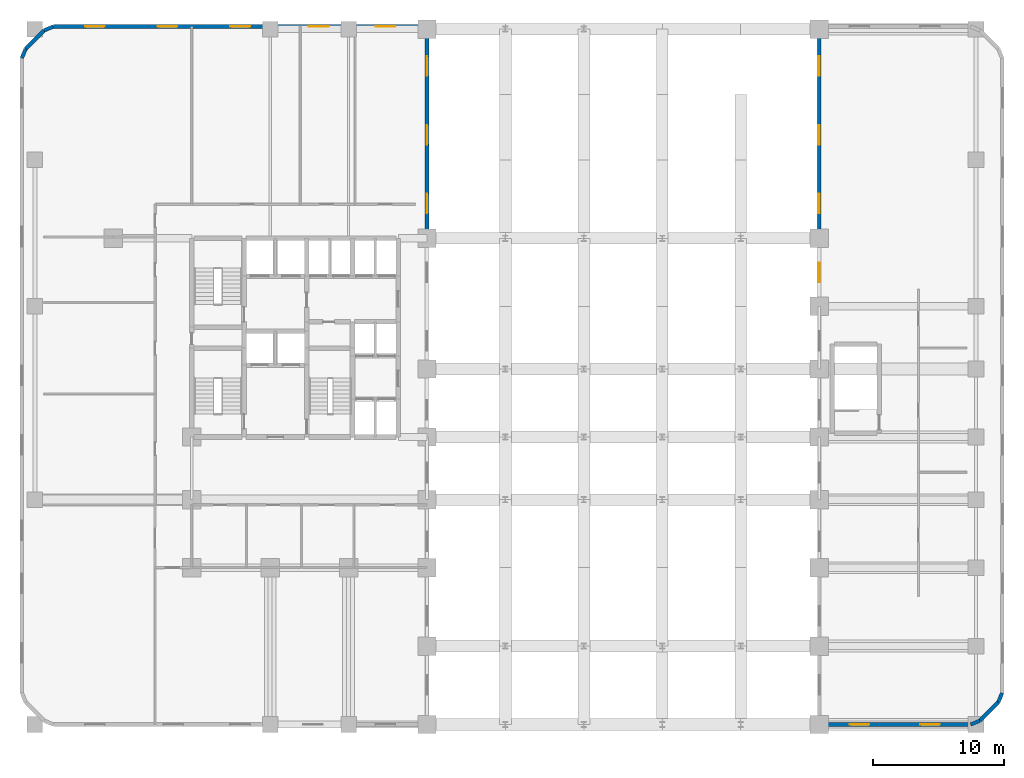
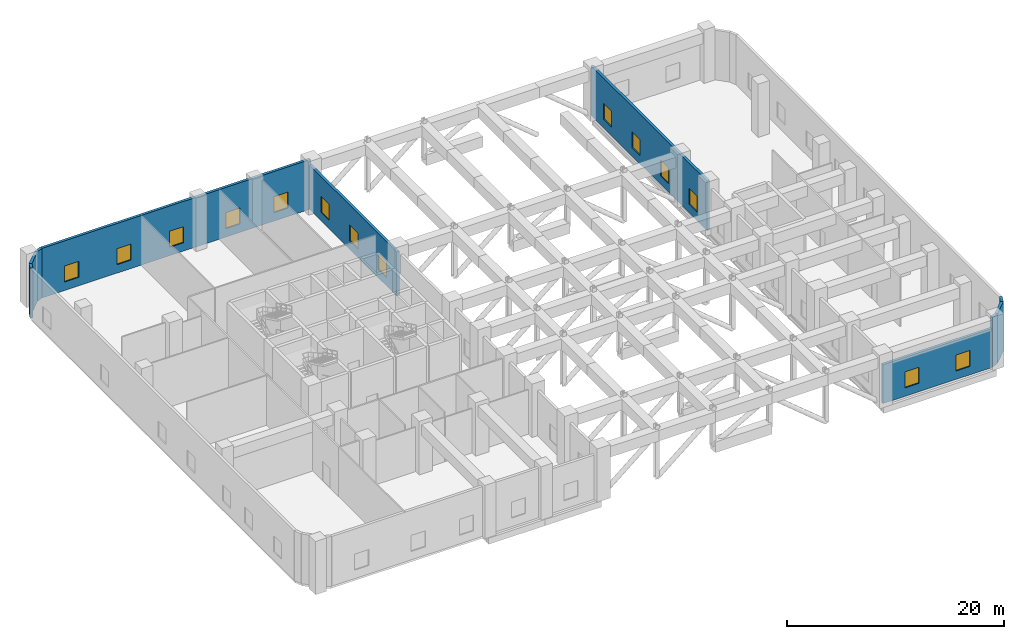
# One storey, part 7 of 11: 14 windows, 10 walls, 14 openings.
"""IFC4 building model written with IfcOpenShell, lengths in metres."""

from ifc_helpers import new_model, si_unit, direction, frame, frame_2d, origin, place, context, subcontext, project, spatial, rectangle, extrude, material, layer, layer_set, type_object, element, fill, save


model = new_model("IFC4")

# Units and contexts
model_context = context("Model", 3, precision=1e-05, world=origin(), true_north=direction((0.0, 1.0)))
body_context = subcontext(model_context, "Body", "Model", "MODEL_VIEW")
ifc_project = project(units=[si_unit("LENGTHUNIT", "METRE"), si_unit("AREAUNIT", "SQUARE_METRE"), si_unit("VOLUMEUNIT", "CUBIC_METRE"), si_unit("PLANEANGLEUNIT", "RADIAN"), si_unit("MASSUNIT", "GRAM", prefix="KILO")], contexts=[model_context])

# Site, building, storey
site_placement = place(None, origin())
site = spatial("IfcSite", under=ifc_project, at=site_placement, CompositionType="ELEMENT")
building_placement = place(site_placement, origin())
building = spatial("IfcBuilding", under=site, at=building_placement, Name="Keshet Zoharim Tower", CompositionType="ELEMENT")
storey_placement = place(building_placement, frame((0.0, 0.0, 13.0)))
storey = spatial("IfcBuildingStorey", under=building, at=storey_placement, Name="L02", CompositionType="ELEMENT", Elevation=13.0)

# Walls
ifc_material_1 = material(Name="Concrete C50/60 precast", Category="concrete")
ifc_layer = layer(ifc_material_1, 0.280029296875)
ifc_layer_set = layer_set([ifc_layer], Name="Concrete C50/60 precast")
wall_type = type_object("IfcWallType", Name="WL-EXT-280", PredefinedType="STANDARD", material=ifc_layer_set)
wall_1_placement = place(storey_placement, frame((2.0, 51.68603515625, 0.0), z_axis=(0.0, 0.0, 1.0), x_axis=(0.382802560388, 0.92383017907, 0.0)))
element("IfcWall", 1, at=wall_1_placement, inside=storey, type_object=wall_type, Name="L02 Podium Precast Facade Wall 02", PredefinedType="STANDARD", context=body_context, shape_type="SweptSolid", body=[
    extrude(rectangle(XDim=0.765380859375, YDim=0.280029296875, at=frame_2d((0.3828125, 0.0))), origin(), (0.0, 0.0, 1.0), 5.580078125),
])
wall_2_placement = place(storey_placement, frame((2.29296875, 52.39306640625, 0.0), z_axis=(0.0, 0.0, 1.0), x_axis=(0.707167825498, 0.707045731605, 0.0)))
element("IfcWall", 2, at=wall_2_placement, inside=storey, type_object=wall_type, Name="L02 Podium Precast Facade Wall 03", PredefinedType="STANDARD", context=body_context, shape_type="SweptSolid", body=[
    extrude(rectangle(XDim=1.99951171875, YDim=0.280029296875, at=frame_2d((0.999755859375, 0.0))), origin(), (0.0, 0.0, 1.0), 5.580078125),
])
wall_3_placement = place(storey_placement, frame((3.70703125, 53.806884765625, 0.0), z_axis=(0.0, 0.0, 1.0), x_axis=(0.923717339373, 0.383074766777, 0.0)))
element("IfcWall", 3, at=wall_3_placement, inside=storey, type_object=wall_type, Name="L02 Podium Precast Facade Wall 04", PredefinedType="STANDARD", context=body_context, shape_type="SweptSolid", body=[
    extrude(rectangle(XDim=0.765380859375, YDim=0.280029296875, at=frame_2d((0.3828125, 0.0))), origin(), (0.0, 0.0, 1.0), 5.580078125),
])

# Wall, openings, windows
wall_4_placement = place(storey_placement, frame((4.4140625, 54.10009765625, 0.0), z_axis=(0.0, 0.0, 1.0), x_axis=(1.0, 0.0, 0.0)))
wall_4 = element("IfcWall", 4, at=wall_4_placement, inside=storey, type_object=wall_type, Name="L02 Podium Precast Facade Wall 05", PredefinedType="STANDARD", context=body_context, shape_type="SweptSolid", body=[
    extrude(rectangle(XDim=28.5859375, YDim=0.280029296875, at=frame_2d((14.29296875, 0.0))), origin(), (0.0, 0.0, 1.0), 5.580078125),
])
opening_1_placement = place(wall_4_placement, frame((2.428955078125, 0.0, 0.949951171875)))
opening_1 = element("IfcOpeningElement", 5, at=opening_1_placement, cuts=wall_4, Name="Opening W-150", PredefinedType="OPENING", context=body_context, shape_type="SweptSolid", body=[
    extrude(rectangle(XDim=1.5, YDim=1.800048828125, at=frame_2d((0.75, 0.89990234375))), frame((0.0, 0.14990234375, 0.0), z_axis=(0.0, -1.0, 0.0), x_axis=(1.0, 0.0, 0.0)), (0.0, 0.0, 1.0), 0.300048828125),
])
opening_2_placement = place(wall_4_placement, frame((7.986083984375, 0.0, 0.949951171875)))
opening_2 = element("IfcOpeningElement", 6, at=opening_2_placement, cuts=wall_4, Name="Opening W-150", PredefinedType="OPENING", context=body_context, shape_type="SweptSolid", body=[
    extrude(rectangle(XDim=1.5, YDim=1.800048828125, at=frame_2d((0.75, 0.89990234375))), frame((0.0, 0.14990234375, 0.0), z_axis=(0.0, -1.0, 0.0), x_axis=(1.0, 0.0, 0.0)), (0.0, 0.0, 1.0), 0.300048828125),
])
opening_3_placement = place(wall_4_placement, frame((13.54296875, 0.0, 0.949951171875)))
opening_3 = element("IfcOpeningElement", 7, at=opening_3_placement, cuts=wall_4, Name="Opening W-150", PredefinedType="OPENING", context=body_context, shape_type="SweptSolid", body=[
    extrude(rectangle(XDim=1.5, YDim=1.800048828125, at=frame_2d((0.75, 0.89990234375))), frame((0.0, 0.14990234375, 0.0), z_axis=(0.0, -1.0, 0.0), x_axis=(1.0, 0.0, 0.0)), (0.0, 0.0, 1.0), 0.300048828125),
])
opening_4_placement = place(wall_4_placement, frame((19.550048828125, 0.0, 0.949951171875)))
opening_4 = element("IfcOpeningElement", 8, at=opening_4_placement, cuts=wall_4, Name="Opening W-150", PredefinedType="OPENING", context=body_context, shape_type="SweptSolid", body=[
    extrude(rectangle(XDim=1.5, YDim=1.800048828125, at=frame_2d((0.75, 0.89990234375))), frame((0.0, 0.14990234375, 0.0), z_axis=(0.0, -1.0, 0.0), x_axis=(1.0, 0.0, 0.0)), (0.0, 0.0, 1.0), 0.300048828125),
])
opening_5_placement = place(wall_4_placement, frame((24.656982421875, 0.0, 0.949951171875)))
opening_5 = element("IfcOpeningElement", 9, at=opening_5_placement, cuts=wall_4, Name="Opening W-150", PredefinedType="OPENING", context=body_context, shape_type="SweptSolid", body=[
    extrude(rectangle(XDim=1.5, YDim=1.800048828125, at=frame_2d((0.75, 0.89990234375))), frame((0.0, 0.14990234375, 0.0), z_axis=(0.0, -1.0, 0.0), x_axis=(1.0, 0.0, 0.0)), (0.0, 0.0, 1.0), 0.300048828125),
])
ifc_material_2 = material(Name="Insulated Low-E Clear Glass", Category="glass")
window_type = type_object("IfcWindowType", Name="WN-CLN-150", PartitioningType="SINGLE_PANEL", PredefinedType="WINDOW", material=ifc_material_2)
window_1_placement = place(opening_1_placement, origin())
window_1 = element("IfcWindow", 10, at=window_1_placement, inside=storey, type_object=window_type, Name="L02 Clinic Facade Window 08", OverallHeight=1.800048828125, OverallWidth=1.5, PartitioningType="SINGLE_PANEL", PredefinedType="WINDOW", context=body_context, shape_type="SweptSolid", body=[
    extrude(rectangle(XDim=1.5, YDim=1.800048828125, at=frame_2d((0.75, 0.89990234375))), frame((0.0, 0.030029296875, 0.0), z_axis=(0.0, -1.0, 0.0), x_axis=(1.0, 0.0, 0.0)), (0.0, 0.0, 1.0), 0.06005859375),
])
fill(opening_1, window_1)
window_2_placement = place(opening_2_placement, origin())
window_2 = element("IfcWindow", 11, at=window_2_placement, inside=storey, type_object=window_type, Name="L02 Clinic Facade Window 09", OverallHeight=1.800048828125, OverallWidth=1.5, PartitioningType="SINGLE_PANEL", PredefinedType="WINDOW", context=body_context, shape_type="SweptSolid", body=[
    extrude(rectangle(XDim=1.5, YDim=1.800048828125, at=frame_2d((0.75, 0.89990234375))), frame((0.0, 0.030029296875, 0.0), z_axis=(0.0, -1.0, 0.0), x_axis=(1.0, 0.0, 0.0)), (0.0, 0.0, 1.0), 0.06005859375),
])
fill(opening_2, window_2)
window_3_placement = place(opening_3_placement, origin())
window_3 = element("IfcWindow", 12, at=window_3_placement, inside=storey, type_object=window_type, Name="L02 Clinic Facade Window 10", OverallHeight=1.800048828125, OverallWidth=1.5, PartitioningType="SINGLE_PANEL", PredefinedType="WINDOW", context=body_context, shape_type="SweptSolid", body=[
    extrude(rectangle(XDim=1.5, YDim=1.800048828125, at=frame_2d((0.75, 0.89990234375))), frame((0.0, 0.030029296875, 0.0), z_axis=(0.0, -1.0, 0.0), x_axis=(1.0, 0.0, 0.0)), (0.0, 0.0, 1.0), 0.06005859375),
])
fill(opening_3, window_3)
window_4_placement = place(opening_4_placement, origin())
window_4 = element("IfcWindow", 13, at=window_4_placement, inside=storey, type_object=window_type, Name="L02 Clinic Facade Window 11", OverallHeight=1.800048828125, OverallWidth=1.5, PartitioningType="SINGLE_PANEL", PredefinedType="WINDOW", context=body_context, shape_type="SweptSolid", body=[
    extrude(rectangle(XDim=1.5, YDim=1.800048828125, at=frame_2d((0.75, 0.89990234375))), frame((0.0, 0.030029296875, 0.0), z_axis=(0.0, -1.0, 0.0), x_axis=(1.0, 0.0, 0.0)), (0.0, 0.0, 1.0), 0.06005859375),
])
fill(opening_4, window_4)
window_5_placement = place(opening_5_placement, origin())
window_5 = element("IfcWindow", 14, at=window_5_placement, inside=storey, type_object=window_type, Name="L02 Clinic Facade Window 12", OverallHeight=1.800048828125, OverallWidth=1.5, PartitioningType="SINGLE_PANEL", PredefinedType="WINDOW", context=body_context, shape_type="SweptSolid", body=[
    extrude(rectangle(XDim=1.5, YDim=1.800048828125, at=frame_2d((0.75, 0.89990234375))), frame((0.0, 0.030029296875, 0.0), z_axis=(0.0, -1.0, 0.0), x_axis=(1.0, 0.0, 0.0)), (0.0, 0.0, 1.0), 0.06005859375),
])
fill(opening_5, window_5)

wall_5_placement = place(storey_placement, frame((33.0, 54.10009765625, 0.0), z_axis=(0.0, 0.0, 1.0), x_axis=(0.0, -1.0, 0.0)))
wall_5 = element("IfcWall", 15, at=wall_5_placement, inside=storey, type_object=wall_type, Name="L02 Podium Precast Facade Wall 06", PredefinedType="STANDARD", context=body_context, shape_type="SweptSolid", body=[
    extrude(rectangle(XDim=16.2001953125, YDim=0.280029296875, at=frame_2d((8.10009765625, 0.0))), origin(), (0.0, 0.0, 1.0), 4.97998046875),
])
opening_6_placement = place(wall_5_placement, frame((2.280029296875, 0.0, 0.949951171875)))
opening_6 = element("IfcOpeningElement", 16, at=opening_6_placement, cuts=wall_5, Name="Opening W-150", PredefinedType="OPENING", context=body_context, shape_type="SweptSolid", body=[
    extrude(rectangle(XDim=1.5, YDim=1.800048828125, at=frame_2d((0.75, 0.89990234375))), frame((0.0, 0.14990234375, 0.0), z_axis=(0.0, -1.0, 0.0), x_axis=(1.0, 0.0, 0.0)), (0.0, 0.0, 1.0), 0.300048828125),
])
opening_7_placement = place(wall_5_placement, frame((7.5400390625, 0.0, 0.949951171875)))
opening_7 = element("IfcOpeningElement", 17, at=opening_7_placement, cuts=wall_5, Name="Opening W-150", PredefinedType="OPENING", context=body_context, shape_type="SweptSolid", body=[
    extrude(rectangle(XDim=1.5, YDim=1.800048828125, at=frame_2d((0.75, 0.89990234375))), frame((0.0, 0.14990234375, 0.0), z_axis=(0.0, -1.0, 0.0), x_axis=(1.0, 0.0, 0.0)), (0.0, 0.0, 1.0), 0.300048828125),
])
opening_8_placement = place(wall_5_placement, frame((12.800048828125, 0.0, 0.949951171875)))
opening_8 = element("IfcOpeningElement", 18, at=opening_8_placement, cuts=wall_5, Name="Opening W-150", PredefinedType="OPENING", context=body_context, shape_type="SweptSolid", body=[
    extrude(rectangle(XDim=1.5, YDim=1.800048828125, at=frame_2d((0.75, 0.89990234375))), frame((0.0, 0.14990234375, 0.0), z_axis=(0.0, -1.0, 0.0), x_axis=(1.0, 0.0, 0.0)), (0.0, 0.0, 1.0), 0.300048828125),
])
window_6_placement = place(opening_6_placement, origin())
window_6 = element("IfcWindow", 19, at=window_6_placement, inside=storey, type_object=window_type, Name="L02 Clinic Facade Window 13", OverallHeight=1.800048828125, OverallWidth=1.5, PartitioningType="SINGLE_PANEL", PredefinedType="WINDOW", context=body_context, shape_type="SweptSolid", body=[
    extrude(rectangle(XDim=1.5, YDim=1.800048828125, at=frame_2d((0.75, 0.89990234375))), frame((0.0, 0.030029296875, 0.0), z_axis=(0.0, -1.0, 0.0), x_axis=(1.0, 0.0, 0.0)), (0.0, 0.0, 1.0), 0.06005859375),
])
fill(opening_6, window_6)
window_7_placement = place(opening_7_placement, origin())
window_7 = element("IfcWindow", 20, at=window_7_placement, inside=storey, type_object=window_type, Name="L02 Clinic Facade Window 14", OverallHeight=1.800048828125, OverallWidth=1.5, PartitioningType="SINGLE_PANEL", PredefinedType="WINDOW", context=body_context, shape_type="SweptSolid", body=[
    extrude(rectangle(XDim=1.5, YDim=1.800048828125, at=frame_2d((0.75, 0.89990234375))), frame((0.0, 0.030029296875, 0.0), z_axis=(0.0, -1.0, 0.0), x_axis=(1.0, 0.0, 0.0)), (0.0, 0.0, 1.0), 0.06005859375),
])
fill(opening_7, window_7)
window_8_placement = place(opening_8_placement, origin())
window_8 = element("IfcWindow", 21, at=window_8_placement, inside=storey, type_object=window_type, Name="L02 Clinic Facade Window 15", OverallHeight=1.800048828125, OverallWidth=1.5, PartitioningType="SINGLE_PANEL", PredefinedType="WINDOW", context=body_context, shape_type="SweptSolid", body=[
    extrude(rectangle(XDim=1.5, YDim=1.800048828125, at=frame_2d((0.75, 0.89990234375))), frame((0.0, 0.030029296875, 0.0), z_axis=(0.0, -1.0, 0.0), x_axis=(1.0, 0.0, 0.0)), (0.0, 0.0, 1.0), 0.06005859375),
])
fill(opening_8, window_8)

# Walls
wall_6_placement = place(storey_placement, frame((77.0, 3.114013671875, 0.0), z_axis=(0.0, 0.0, 1.0), x_axis=(-0.382802560388, -0.92383017907, 0.0)))
element("IfcWall", 22, at=wall_6_placement, inside=storey, type_object=wall_type, Name="L02 Podium Precast Facade Wall 15", PredefinedType="STANDARD", context=body_context, shape_type="SweptSolid", body=[
    extrude(rectangle(XDim=0.765380859375, YDim=0.280029296875, at=frame_2d((0.3828125, 0.0))), origin(), (0.0, 0.0, 1.0), 5.580078125),
])
wall_7_placement = place(storey_placement, frame((76.70703125, 2.406982421875, 0.0), z_axis=(0.0, 0.0, 1.0), x_axis=(-0.707106781187, -0.707106781187, 0.0)))
element("IfcWall", 23, at=wall_7_placement, inside=storey, type_object=wall_type, Name="L02 Podium Precast Facade Wall 16", PredefinedType="STANDARD", context=body_context, shape_type="SweptSolid", body=[
    extrude(rectangle(XDim=1.999755859375, YDim=0.280029296875, at=frame_2d((1.0, 0.0))), origin(), (0.0, 0.0, 1.0), 5.580078125),
])
wall_8_placement = place(storey_placement, frame((75.29296875, 0.992919921875, 0.0), z_axis=(0.0, 0.0, 1.0), x_axis=(-0.92383017907, -0.382802560388, 0.0)))
element("IfcWall", 24, at=wall_8_placement, inside=storey, type_object=wall_type, Name="L02 Podium Precast Facade Wall 17", PredefinedType="STANDARD", context=body_context, shape_type="SweptSolid", body=[
    extrude(rectangle(XDim=0.765380859375, YDim=0.280029296875, at=frame_2d((0.3828125, 0.0))), origin(), (0.0, 0.0, 1.0), 5.580078125),
])

# Wall, openings, windows
wall_9_placement = place(storey_placement, frame((74.5859375, 0.699951171875, 0.0), z_axis=(0.0, 0.0, 1.0), x_axis=(-1.0, 0.0, 0.0)))
wall_9 = element("IfcWall", 25, at=wall_9_placement, inside=storey, type_object=wall_type, Name="L02 Podium Precast Facade Wall 18", PredefinedType="STANDARD", context=body_context, shape_type="SweptSolid", body=[
    extrude(rectangle(XDim=11.5859375, YDim=0.280029296875, at=frame_2d((5.79296875, 0.0))), origin(), (0.0, 0.0, 1.0), 4.3798828125),
])
opening_9_placement = place(wall_9_placement, frame((2.345947265625, 0.0, 0.949951171875)))
opening_9 = element("IfcOpeningElement", 26, at=opening_9_placement, cuts=wall_9, Name="Opening W-150", PredefinedType="OPENING", context=body_context, shape_type="SweptSolid", body=[
    extrude(rectangle(XDim=1.5, YDim=1.800048828125, at=frame_2d((0.75, 0.89990234375))), frame((0.0, 0.14990234375, 0.0), z_axis=(0.0, -1.0, 0.0), x_axis=(1.0, 0.0, 0.0)), (0.0, 0.0, 1.0), 0.300048828125),
])
opening_10_placement = place(wall_9_placement, frame((7.739013671875, 0.0, 0.949951171875)))
opening_10 = element("IfcOpeningElement", 27, at=opening_10_placement, cuts=wall_9, Name="Opening W-150", PredefinedType="OPENING", context=body_context, shape_type="SweptSolid", body=[
    extrude(rectangle(XDim=1.5, YDim=1.800048828125, at=frame_2d((0.75, 0.89990234375))), frame((0.0, 0.14990234375, 0.0), z_axis=(0.0, -1.0, 0.0), x_axis=(1.0, 0.0, 0.0)), (0.0, 0.0, 1.0), 0.300048828125),
])
window_9_placement = place(opening_9_placement, origin())
window_9 = element("IfcWindow", 28, at=window_9_placement, inside=storey, type_object=window_type, Name="L02 Clinic Facade Window 37", OverallHeight=1.800048828125, OverallWidth=1.5, PartitioningType="SINGLE_PANEL", PredefinedType="WINDOW", context=body_context, shape_type="SweptSolid", body=[
    extrude(rectangle(XDim=1.5, YDim=1.800048828125, at=frame_2d((0.75, 0.89990234375))), frame((0.0, 0.030029296875, 0.0), z_axis=(0.0, -1.0, 0.0), x_axis=(1.0, 0.0, 0.0)), (0.0, 0.0, 1.0), 0.06005859375),
])
fill(opening_9, window_9)
window_10_placement = place(opening_10_placement, origin())
window_10 = element("IfcWindow", 29, at=window_10_placement, inside=storey, type_object=window_type, Name="L02 Clinic Facade Window 38", OverallHeight=1.800048828125, OverallWidth=1.5, PartitioningType="SINGLE_PANEL", PredefinedType="WINDOW", context=body_context, shape_type="SweptSolid", body=[
    extrude(rectangle(XDim=1.5, YDim=1.800048828125, at=frame_2d((0.75, 0.89990234375))), frame((0.0, 0.030029296875, 0.0), z_axis=(0.0, -1.0, 0.0), x_axis=(1.0, 0.0, 0.0)), (0.0, 0.0, 1.0), 0.06005859375),
])
fill(opening_10, window_10)

wall_10_placement = place(storey_placement, frame((63.0, 32.699951171875, 0.0), z_axis=(0.0, 0.0, 1.0), x_axis=(0.0, 1.0, 0.0)))
wall_10 = element("IfcWall", 30, at=wall_10_placement, inside=storey, type_object=wall_type, Name="L02 Podium Precast Facade Wall 19 Part 4", PredefinedType="STANDARD", context=body_context, shape_type="SweptSolid", body=[
    extrude(rectangle(XDim=21.400146484375, YDim=0.280029296875, at=frame_2d((10.7001953125, 0.0))), origin(), (0.0, 0.0, 1.0), 5.580078125),
])
opening_11_placement = place(wall_10_placement, frame((1.840087890625, 0.0, 0.949951171875)))
opening_11 = element("IfcOpeningElement", 31, at=opening_11_placement, cuts=wall_10, Name="Opening W-150", PredefinedType="OPENING", context=body_context, shape_type="SweptSolid", body=[
    extrude(rectangle(XDim=1.5, YDim=1.800048828125, at=frame_2d((0.75, 0.89990234375))), frame((0.0, 0.14990234375, 0.0), z_axis=(0.0, -1.0, 0.0), x_axis=(1.0, 0.0, 0.0)), (0.0, 0.0, 1.0), 0.300048828125),
])
opening_12_placement = place(wall_10_placement, frame((7.10009765625, 0.0, 0.949951171875)))
opening_12 = element("IfcOpeningElement", 32, at=opening_12_placement, cuts=wall_10, Name="Opening W-150", PredefinedType="OPENING", context=body_context, shape_type="SweptSolid", body=[
    extrude(rectangle(XDim=1.5, YDim=1.800048828125, at=frame_2d((0.75, 0.89990234375))), frame((0.0, 0.14990234375, 0.0), z_axis=(0.0, -1.0, 0.0), x_axis=(1.0, 0.0, 0.0)), (0.0, 0.0, 1.0), 0.300048828125),
])
opening_13_placement = place(wall_10_placement, frame((12.360107421875, 0.0, 0.949951171875)))
opening_13 = element("IfcOpeningElement", 33, at=opening_13_placement, cuts=wall_10, Name="Opening W-150", PredefinedType="OPENING", context=body_context, shape_type="SweptSolid", body=[
    extrude(rectangle(XDim=1.5, YDim=1.800048828125, at=frame_2d((0.75, 0.89990234375))), frame((0.0, 0.14990234375, 0.0), z_axis=(0.0, -1.0, 0.0), x_axis=(1.0, 0.0, 0.0)), (0.0, 0.0, 1.0), 0.300048828125),
])
opening_14_placement = place(wall_10_placement, frame((17.6201171875, 0.0, 0.949951171875)))
opening_14 = element("IfcOpeningElement", 34, at=opening_14_placement, cuts=wall_10, Name="Opening W-150", PredefinedType="OPENING", context=body_context, shape_type="SweptSolid", body=[
    extrude(rectangle(XDim=1.5, YDim=1.800048828125, at=frame_2d((0.75, 0.89990234375))), frame((0.0, 0.14990234375, 0.0), z_axis=(0.0, -1.0, 0.0), x_axis=(1.0, 0.0, 0.0)), (0.0, 0.0, 1.0), 0.300048828125),
])
window_11_placement = place(opening_11_placement, origin())
window_11 = element("IfcWindow", 35, at=window_11_placement, inside=storey, type_object=window_type, Name="L02 Clinic Facade Window 45", OverallHeight=1.800048828125, OverallWidth=1.5, PartitioningType="SINGLE_PANEL", PredefinedType="WINDOW", context=body_context, shape_type="SweptSolid", body=[
    extrude(rectangle(XDim=1.5, YDim=1.800048828125, at=frame_2d((0.75, 0.89990234375))), frame((0.0, 0.030029296875, 0.0), z_axis=(0.0, -1.0, 0.0), x_axis=(1.0, 0.0, 0.0)), (0.0, 0.0, 1.0), 0.06005859375),
])
fill(opening_11, window_11)
window_12_placement = place(opening_12_placement, origin())
window_12 = element("IfcWindow", 36, at=window_12_placement, inside=storey, type_object=window_type, Name="L02 Clinic Facade Window 46", OverallHeight=1.800048828125, OverallWidth=1.5, PartitioningType="SINGLE_PANEL", PredefinedType="WINDOW", context=body_context, shape_type="SweptSolid", body=[
    extrude(rectangle(XDim=1.5, YDim=1.800048828125, at=frame_2d((0.75, 0.89990234375))), frame((0.0, 0.030029296875, 0.0), z_axis=(0.0, -1.0, 0.0), x_axis=(1.0, 0.0, 0.0)), (0.0, 0.0, 1.0), 0.06005859375),
])
fill(opening_12, window_12)
window_13_placement = place(opening_13_placement, origin())
window_13 = element("IfcWindow", 37, at=window_13_placement, inside=storey, type_object=window_type, Name="L02 Clinic Facade Window 47", OverallHeight=1.800048828125, OverallWidth=1.5, PartitioningType="SINGLE_PANEL", PredefinedType="WINDOW", context=body_context, shape_type="SweptSolid", body=[
    extrude(rectangle(XDim=1.5, YDim=1.800048828125, at=frame_2d((0.75, 0.89990234375))), frame((0.0, 0.030029296875, 0.0), z_axis=(0.0, -1.0, 0.0), x_axis=(1.0, 0.0, 0.0)), (0.0, 0.0, 1.0), 0.06005859375),
])
fill(opening_13, window_13)
window_14_placement = place(opening_14_placement, origin())
window_14 = element("IfcWindow", 38, at=window_14_placement, inside=storey, type_object=window_type, Name="L02 Clinic Facade Window 48", OverallHeight=1.800048828125, OverallWidth=1.5, PartitioningType="SINGLE_PANEL", PredefinedType="WINDOW", context=body_context, shape_type="SweptSolid", body=[
    extrude(rectangle(XDim=1.5, YDim=1.800048828125, at=frame_2d((0.75, 0.89990234375))), frame((0.0, 0.030029296875, 0.0), z_axis=(0.0, -1.0, 0.0), x_axis=(1.0, 0.0, 0.0)), (0.0, 0.0, 1.0), 0.06005859375),
])
fill(opening_14, window_14)

save(model, "model.ifc")
